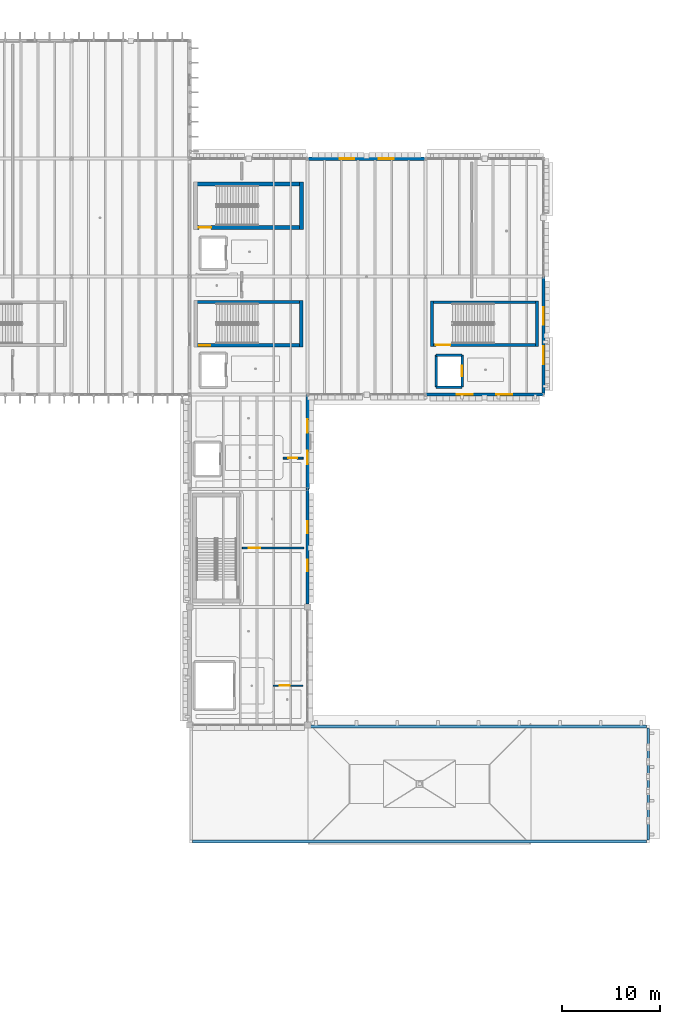
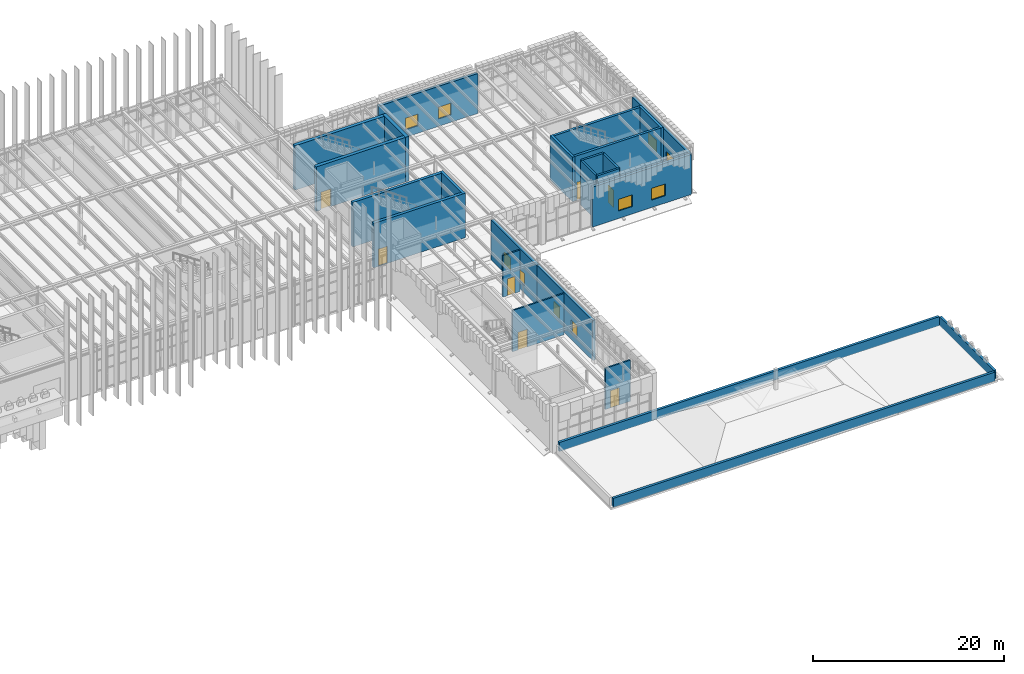
# One storey, part 49 of 83: 25 walls, 10 windows, 7 doors, 17 openings.
"""IFC4 building model written with IfcOpenShell, lengths in metres."""

from ifc_helpers import new_model, si_unit, direction, frame, frame_2d, origin, place, context, subcontext, project, spatial, rectangle, extrude, material, layer, layer_set, type_object, element, fill, save


model = new_model("IFC4")

# Units and contexts
model_context = context("Model", 3, precision=1e-05, world=origin(), true_north=direction((0.0, 1.0)))
body_context = subcontext(model_context, "Body", "Model", "MODEL_VIEW")
ifc_project = project(units=[si_unit("LENGTHUNIT", "METRE"), si_unit("AREAUNIT", "SQUARE_METRE"), si_unit("VOLUMEUNIT", "CUBIC_METRE"), si_unit("PLANEANGLEUNIT", "RADIAN"), si_unit("MASSUNIT", "GRAM", prefix="KILO")], contexts=[model_context])

# Site, building, storey
site_placement = place(None, origin())
site = spatial("IfcSite", under=ifc_project, at=site_placement, CompositionType="ELEMENT")
building_placement = place(site_placement, origin())
building = spatial("IfcBuilding", under=site, at=building_placement, Name="Zlatogorsky Bluff Art Gallery", CompositionType="ELEMENT")
storey_placement = place(building_placement, frame((0.0, 0.0, 10.800048828125)))
storey = spatial("IfcBuildingStorey", under=building, at=storey_placement, Name="L02", CompositionType="ELEMENT", Elevation=10.800048828125)

# Wall, openings, windows
ifc_material_1 = material(Name="Precast concrete C40/50", Category="concrete")
ifc_layer_1 = layer(ifc_material_1, 0.360107421875)
ifc_layer_set_1 = layer_set([ifc_layer_1], Name="Exterior Wall EW-01 360mm")
wall_type_1 = type_object("IfcWallType", Name="Exterior Wall EW-01 360mm", PredefinedType="SOLIDWALL", material=ifc_layer_set_1)
wall_1_placement = place(storey_placement, frame((132.0, 74.39990234375, 0.0), z_axis=(0.0, 0.0, 1.0), x_axis=(0.0, 1.0, 0.0)))
wall_1 = element("IfcWall", 1, at=wall_1_placement, inside=storey, type_object=wall_type_1, Name="Exterior wall EW-01 L02 E 10.7", PredefinedType="SOLIDWALL", context=body_context, shape_type="SweptSolid", body=[
    extrude(rectangle(XDim=9.60009765625, YDim=0.360107421875, at=frame_2d((4.800048828125, 0.0))), origin(), (0.0, 0.0, 1.0), 5.10986328125),
])
opening_1_placement = place(wall_1_placement, frame((2.52490234375, 0.0, 0.949951171875)))
opening_1 = element("IfcOpeningElement", 2, at=opening_1_placement, cuts=wall_1, Name="Opening WN-04", PredefinedType="OPENING", context=body_context, shape_type="SweptSolid", body=[
    extrude(rectangle(XDim=1.35009765625, YDim=1.5, at=frame_2d((0.675048828125, 0.75))), frame((0.0, 0.18994140625, 0.0), z_axis=(0.0, -1.0, 0.0), x_axis=(1.0, 0.0, 0.0)), (0.0, 0.0, 1.0), 0.380126953125),
])
opening_2_placement = place(wall_1_placement, frame((5.72509765625, 0.0, 0.949951171875)))
opening_2 = element("IfcOpeningElement", 3, at=opening_2_placement, cuts=wall_1, Name="Opening WN-04", PredefinedType="OPENING", context=body_context, shape_type="SweptSolid", body=[
    extrude(rectangle(XDim=1.35009765625, YDim=1.5, at=frame_2d((0.675048828125, 0.75))), frame((0.0, 0.18994140625, 0.0), z_axis=(0.0, -1.0, 0.0), x_axis=(1.0, 0.0, 0.0)), (0.0, 0.0, 1.0), 0.380126953125),
])
ifc_material_2 = material(Name="Bronze-Anodised Aluminium Triple Glazing", Category="aluminium")
window_type_1 = type_object("IfcWindowType", Name="Pointed-Reveal Window WN-04 1350x1500", PartitioningType="SINGLE_PANEL", PredefinedType="WINDOW", material=ifc_material_2)
window_1_placement = place(opening_1_placement, origin())
window_1 = element("IfcWindow", 4, at=window_1_placement, inside=storey, type_object=window_type_1, Name="Window WN-04 L02.E.10.7.1", OverallHeight=1.5, OverallWidth=1.35009765625, PartitioningType="SINGLE_PANEL", PredefinedType="WINDOW", context=body_context, shape_type="SweptSolid", body=[
    extrude(rectangle(XDim=1.35009765625, YDim=1.5, at=frame_2d((0.675048828125, 0.75))), frame((0.0, 0.030029296875, 0.0), z_axis=(0.0, -1.0, 0.0), x_axis=(1.0, 0.0, 0.0)), (0.0, 0.0, 1.0), 0.06005859375),
])
fill(opening_1, window_1)
window_2_placement = place(opening_2_placement, origin())
window_2 = element("IfcWindow", 5, at=window_2_placement, inside=storey, type_object=window_type_1, Name="Window WN-04 L02.E.10.7.2", OverallHeight=1.5, OverallWidth=1.35009765625, PartitioningType="SINGLE_PANEL", PredefinedType="WINDOW", context=body_context, shape_type="SweptSolid", body=[
    extrude(rectangle(XDim=1.35009765625, YDim=1.5, at=frame_2d((0.675048828125, 0.75))), frame((0.0, 0.030029296875, 0.0), z_axis=(0.0, -1.0, 0.0), x_axis=(1.0, 0.0, 0.0)), (0.0, 0.0, 1.0), 0.06005859375),
])
fill(opening_2, window_2)

ifc_layer_2 = layer(ifc_material_1, 0.320068359375)
ifc_layer_set_2 = layer_set([ifc_layer_2], Name="Exterior Wall EW-04 320mm")
wall_type_2 = type_object("IfcWallType", Name="Exterior Wall EW-04 320mm", PredefinedType="SOLIDWALL", material=ifc_layer_set_2)
wall_2_placement = place(storey_placement, frame((132.0, 62.719970703125, 0.0), z_axis=(0.0, 0.0, 1.0), x_axis=(0.0, 1.0, 0.0)))
wall_2 = element("IfcWall", 6, at=wall_2_placement, inside=storey, type_object=wall_type_2, Name="Exterior wall EW-04 L02 E 10.6", PredefinedType="SOLIDWALL", context=body_context, shape_type="SweptSolid", body=[
    extrude(rectangle(XDim=11.679931640625, YDim=0.320068359375, at=frame_2d((5.83984375, 0.0))), origin(), (0.0, 0.0, 1.0), 5.10986328125),
])
opening_3_placement = place(wall_2_placement, frame((3.29296875, 0.0, 0.949951171875)))
opening_3 = element("IfcOpeningElement", 7, at=opening_3_placement, cuts=wall_2, Name="Opening WN-03", PredefinedType="OPENING", context=body_context, shape_type="SweptSolid", body=[
    extrude(rectangle(XDim=1.199951171875, YDim=1.5, at=frame_2d((0.60009765625, 0.75))), frame((0.0, 0.169921875, 0.0), z_axis=(0.0, -1.0, 0.0), x_axis=(1.0, 0.0, 0.0)), (0.0, 0.0, 1.0), 0.340087890625),
])
opening_4_placement = place(wall_2_placement, frame((7.18701171875, 0.0, 0.949951171875)))
opening_4 = element("IfcOpeningElement", 8, at=opening_4_placement, cuts=wall_2, Name="Opening WN-03", PredefinedType="OPENING", context=body_context, shape_type="SweptSolid", body=[
    extrude(rectangle(XDim=1.199951171875, YDim=1.5, at=frame_2d((0.60009765625, 0.75))), frame((0.0, 0.169921875, 0.0), z_axis=(0.0, -1.0, 0.0), x_axis=(1.0, 0.0, 0.0)), (0.0, 0.0, 1.0), 0.340087890625),
])
window_type_2 = type_object("IfcWindowType", Name="Pointed-Reveal Window WN-03 1200x1500", PartitioningType="SINGLE_PANEL", PredefinedType="WINDOW", material=ifc_material_2)
window_3_placement = place(opening_3_placement, origin())
window_3 = element("IfcWindow", 9, at=window_3_placement, inside=storey, type_object=window_type_2, Name="Window WN-03 L02.E.10.6.1", OverallHeight=1.5, OverallWidth=1.199951171875, PartitioningType="SINGLE_PANEL", PredefinedType="WINDOW", context=body_context, shape_type="SweptSolid", body=[
    extrude(rectangle(XDim=1.199951171875, YDim=1.5, at=frame_2d((0.60009765625, 0.75))), frame((0.0, 0.030029296875, 0.0), z_axis=(0.0, -1.0, 0.0), x_axis=(1.0, 0.0, 0.0)), (0.0, 0.0, 1.0), 0.06005859375),
])
fill(opening_3, window_3)
window_4_placement = place(opening_4_placement, origin())
window_4 = element("IfcWindow", 10, at=window_4_placement, inside=storey, type_object=window_type_2, Name="Window WN-03 L02.E.10.6.2", OverallHeight=1.5, OverallWidth=1.199951171875, PartitioningType="SINGLE_PANEL", PredefinedType="WINDOW", context=body_context, shape_type="SweptSolid", body=[
    extrude(rectangle(XDim=1.199951171875, YDim=1.5, at=frame_2d((0.60009765625, 0.75))), frame((0.0, 0.030029296875, 0.0), z_axis=(0.0, -1.0, 0.0), x_axis=(1.0, 0.0, 0.0)), (0.0, 0.0, 1.0), 0.06005859375),
])
fill(opening_4, window_4)

wall_3_placement = place(storey_placement, frame((144.0, 108.0, 0.0), z_axis=(0.0, 0.0, 1.0), x_axis=(-1.0, 0.0, 0.0)))
wall_3 = element("IfcWall", 11, at=wall_3_placement, inside=storey, type_object=wall_type_2, Name="Exterior wall EW-04 L02 N 11.9", PredefinedType="SOLIDWALL", context=body_context, shape_type="SweptSolid", body=[
    extrude(rectangle(XDim=12.0, YDim=0.320068359375, at=frame_2d((6.0, 0.0))), origin(), (0.0, 0.0, 1.0), 5.10986328125),
])
opening_5_placement = place(wall_3_placement, frame((3.25, 0.0, 0.949951171875)))
opening_5 = element("IfcOpeningElement", 12, at=opening_5_placement, cuts=wall_3, Name="Opening WN-05", PredefinedType="OPENING", context=body_context, shape_type="SweptSolid", body=[
    extrude(rectangle(XDim=1.5, YDim=1.5, at=frame_2d((0.75, 0.75))), frame((0.0, 0.169921875, 0.0), z_axis=(0.0, -1.0, 0.0), x_axis=(1.0, 0.0, 0.0)), (0.0, 0.0, 1.0), 0.340087890625),
])
opening_6_placement = place(wall_3_placement, frame((7.25, 0.0, 0.949951171875)))
opening_6 = element("IfcOpeningElement", 13, at=opening_6_placement, cuts=wall_3, Name="Opening WN-05", PredefinedType="OPENING", context=body_context, shape_type="SweptSolid", body=[
    extrude(rectangle(XDim=1.5, YDim=1.5, at=frame_2d((0.75, 0.75))), frame((0.0, 0.169921875, 0.0), z_axis=(0.0, -1.0, 0.0), x_axis=(1.0, 0.0, 0.0)), (0.0, 0.0, 1.0), 0.340087890625),
])
window_type_3 = type_object("IfcWindowType", Name="Pointed-Reveal Window WN-05 1500x1500", PartitioningType="SINGLE_PANEL", PredefinedType="WINDOW", material=ifc_material_2)
window_5_placement = place(opening_5_placement, origin())
window_5 = element("IfcWindow", 14, at=window_5_placement, inside=storey, type_object=window_type_3, Name="Window WN-05 L02.N.11.9.1", OverallHeight=1.5, OverallWidth=1.5, PartitioningType="SINGLE_PANEL", PredefinedType="WINDOW", context=body_context, shape_type="SweptSolid", body=[
    extrude(rectangle(XDim=1.5, YDim=1.5, at=frame_2d((0.75, 0.75))), frame((0.0, 0.030029296875, 0.0), z_axis=(0.0, -1.0, 0.0), x_axis=(1.0, 0.0, 0.0)), (0.0, 0.0, 1.0), 0.06005859375),
])
fill(opening_5, window_5)
window_6_placement = place(opening_6_placement, origin())
window_6 = element("IfcWindow", 15, at=window_6_placement, inside=storey, type_object=window_type_3, Name="Window WN-05 L02.N.11.9.2", OverallHeight=1.5, OverallWidth=1.5, PartitioningType="SINGLE_PANEL", PredefinedType="WINDOW", context=body_context, shape_type="SweptSolid", body=[
    extrude(rectangle(XDim=1.5, YDim=1.5, at=frame_2d((0.75, 0.75))), frame((0.0, 0.030029296875, 0.0), z_axis=(0.0, -1.0, 0.0), x_axis=(1.0, 0.0, 0.0)), (0.0, 0.0, 1.0), 0.06005859375),
])
fill(opening_6, window_6)

wall_4_placement = place(storey_placement, frame((144.0, 84.0, 0.0), z_axis=(0.0, 0.0, 1.0), x_axis=(1.0, 0.0, 0.0)))
wall_4 = element("IfcWall", 16, at=wall_4_placement, inside=storey, type_object=wall_type_2, Name="Exterior wall EW-04 L02 S 12.8", PredefinedType="SOLIDWALL", context=body_context, shape_type="SweptSolid", body=[
    extrude(rectangle(XDim=12.0, YDim=0.320068359375, at=frame_2d((6.0, 0.0))), origin(), (0.0, 0.0, 1.0), 5.10986328125),
])
opening_7_placement = place(wall_4_placement, frame((3.175048828125, 0.0, 0.949951171875)))
opening_7 = element("IfcOpeningElement", 17, at=opening_7_placement, cuts=wall_4, Name="Opening WN-06", PredefinedType="OPENING", context=body_context, shape_type="SweptSolid", body=[
    extrude(rectangle(XDim=1.64990234375, YDim=1.5, at=frame_2d((0.824951171875, 0.75))), frame((0.0, 0.169921875, 0.0), z_axis=(0.0, -1.0, 0.0), x_axis=(1.0, 0.0, 0.0)), (0.0, 0.0, 1.0), 0.340087890625),
])
opening_8_placement = place(wall_4_placement, frame((7.175048828125, 0.0, 0.949951171875)))
opening_8 = element("IfcOpeningElement", 18, at=opening_8_placement, cuts=wall_4, Name="Opening WN-06", PredefinedType="OPENING", context=body_context, shape_type="SweptSolid", body=[
    extrude(rectangle(XDim=1.64990234375, YDim=1.5, at=frame_2d((0.824951171875, 0.75))), frame((0.0, 0.169921875, 0.0), z_axis=(0.0, -1.0, 0.0), x_axis=(1.0, 0.0, 0.0)), (0.0, 0.0, 1.0), 0.340087890625),
])
window_type_4 = type_object("IfcWindowType", Name="Pointed-Reveal Window WN-06 1650x1500", PartitioningType="SINGLE_PANEL", PredefinedType="WINDOW", material=ifc_material_2)
window_7_placement = place(opening_7_placement, origin())
window_7 = element("IfcWindow", 19, at=window_7_placement, inside=storey, type_object=window_type_4, Name="Window WN-06 L02.S.12.8.1", OverallHeight=1.5, OverallWidth=1.64990234375, PartitioningType="SINGLE_PANEL", PredefinedType="WINDOW", context=body_context, shape_type="SweptSolid", body=[
    extrude(rectangle(XDim=1.64990234375, YDim=1.5, at=frame_2d((0.824951171875, 0.75))), frame((0.0, 0.030029296875, 0.0), z_axis=(0.0, -1.0, 0.0), x_axis=(1.0, 0.0, 0.0)), (0.0, 0.0, 1.0), 0.06005859375),
])
fill(opening_7, window_7)
window_8_placement = place(opening_8_placement, origin())
window_8 = element("IfcWindow", 20, at=window_8_placement, inside=storey, type_object=window_type_4, Name="Window WN-06 L02.S.12.8.2", OverallHeight=1.5, OverallWidth=1.64990234375, PartitioningType="SINGLE_PANEL", PredefinedType="WINDOW", context=body_context, shape_type="SweptSolid", body=[
    extrude(rectangle(XDim=1.64990234375, YDim=1.5, at=frame_2d((0.824951171875, 0.75))), frame((0.0, 0.030029296875, 0.0), z_axis=(0.0, -1.0, 0.0), x_axis=(1.0, 0.0, 0.0)), (0.0, 0.0, 1.0), 0.06005859375),
])
fill(opening_8, window_8)

wall_5_placement = place(storey_placement, frame((156.0, 84.0, 0.0), z_axis=(0.0, 0.0, 1.0), x_axis=(0.0, 1.0, 0.0)))
wall_5 = element("IfcWall", 21, at=wall_5_placement, inside=storey, type_object=wall_type_2, Name="Exterior wall EW-04 L02 E 12.8", PredefinedType="SOLIDWALL", context=body_context, shape_type="SweptSolid", body=[
    extrude(rectangle(XDim=12.0, YDim=0.320068359375, at=frame_2d((6.0, 0.0))), origin(), (0.0, 0.0, 1.0), 5.10986328125),
])
opening_9_placement = place(wall_5_placement, frame((3.10009765625, 0.0, 0.949951171875)))
opening_9 = element("IfcOpeningElement", 22, at=opening_9_placement, cuts=wall_5, Name="Opening WN-07", PredefinedType="OPENING", context=body_context, shape_type="SweptSolid", body=[
    extrude(rectangle(XDim=1.800048828125, YDim=1.5, at=frame_2d((0.89990234375, 0.75))), frame((0.0, 0.169921875, 0.0), z_axis=(0.0, -1.0, 0.0), x_axis=(1.0, 0.0, 0.0)), (0.0, 0.0, 1.0), 0.340087890625),
])
opening_10_placement = place(wall_5_placement, frame((7.10009765625, 0.0, 0.949951171875)))
opening_10 = element("IfcOpeningElement", 23, at=opening_10_placement, cuts=wall_5, Name="Opening WN-07", PredefinedType="OPENING", context=body_context, shape_type="SweptSolid", body=[
    extrude(rectangle(XDim=1.800048828125, YDim=1.5, at=frame_2d((0.89990234375, 0.75))), frame((0.0, 0.169921875, 0.0), z_axis=(0.0, -1.0, 0.0), x_axis=(1.0, 0.0, 0.0)), (0.0, 0.0, 1.0), 0.340087890625),
])
window_type_5 = type_object("IfcWindowType", Name="Pointed-Reveal Window WN-07 1800x1500", PartitioningType="SINGLE_PANEL", PredefinedType="WINDOW", material=ifc_material_2)
window_9_placement = place(opening_9_placement, origin())
window_9 = element("IfcWindow", 24, at=window_9_placement, inside=storey, type_object=window_type_5, Name="Window WN-07 L02.E.12.8.1", OverallHeight=1.5, OverallWidth=1.800048828125, PartitioningType="SINGLE_PANEL", PredefinedType="WINDOW", context=body_context, shape_type="SweptSolid", body=[
    extrude(rectangle(XDim=1.800048828125, YDim=1.5, at=frame_2d((0.89990234375, 0.75))), frame((0.0, 0.030029296875, 0.0), z_axis=(0.0, -1.0, 0.0), x_axis=(1.0, 0.0, 0.0)), (0.0, 0.0, 1.0), 0.06005859375),
])
fill(opening_9, window_9)
window_10_placement = place(opening_10_placement, origin())
window_10 = element("IfcWindow", 25, at=window_10_placement, inside=storey, type_object=window_type_5, Name="Window WN-07 L02.E.12.8.2", OverallHeight=1.5, OverallWidth=1.800048828125, PartitioningType="SINGLE_PANEL", PredefinedType="WINDOW", context=body_context, shape_type="SweptSolid", body=[
    extrude(rectangle(XDim=1.800048828125, YDim=1.5, at=frame_2d((0.89990234375, 0.75))), frame((0.0, 0.030029296875, 0.0), z_axis=(0.0, -1.0, 0.0), x_axis=(1.0, 0.0, 0.0)), (0.0, 0.0, 1.0), 0.06005859375),
])
fill(opening_10, window_10)

# Walls
ifc_layer_3 = layer(ifc_material_1, 0.260009765625)
ifc_layer_set_3 = layer_set([ifc_layer_3], Name="Exterior Wall PR-W1 260mm")
wall_type_3 = type_object("IfcWallType", Name="Exterior Wall PR-W1 260mm", PredefinedType="PARAPET", material=ifc_layer_set_3)
wall_6_placement = place(storey_placement, frame((166.639892578125, 50.080078125, 0.0), z_axis=(0.0, 0.0, 1.0), x_axis=(0.0, -1.0, 0.0)))
element("IfcWall", 26, at=wall_6_placement, inside=storey, type_object=wall_type_3, Name="Sandstone roof parapet ROOF-FLAT-L02-02.1", PredefinedType="PARAPET", context=body_context, shape_type="SweptSolid", body=[
    extrude(rectangle(XDim=11.360107421875, YDim=0.260009765625, at=frame_2d((5.68017578125, 0.0))), origin(), (0.0, 0.0, 1.0), 1.14990234375),
])
ifc_layer_4 = layer(ifc_material_1, 0.300048828125)
ifc_layer_set_4 = layer_set([ifc_layer_4], Name="Exterior Wall PR-W2 300mm")
wall_type_4 = type_object("IfcWallType", Name="Exterior Wall PR-W2 300mm", PredefinedType="PARAPET", material=ifc_layer_set_4)
wall_7_placement = place(storey_placement, frame((166.47998046875, 38.56005859375, 0.0), z_axis=(0.0, 0.0, 1.0), x_axis=(-1.0, 0.0, 0.0)))
element("IfcWall", 27, at=wall_7_placement, inside=storey, type_object=wall_type_4, Name="Sandstone roof parapet ROOF-FLAT-L02-02.2", PredefinedType="PARAPET", context=body_context, shape_type="SweptSolid", body=[
    extrude(rectangle(XDim=46.159912109375, YDim=0.300048828125, at=frame_2d((23.080078125, 0.0))), origin(), (0.0, 0.0, 1.0), 1.14990234375),
])
wall_8_placement = place(storey_placement, frame((120.52001953125, 50.239990234375, 0.0), z_axis=(0.0, 0.0, 1.0), x_axis=(1.0, 0.0, 0.0)))
element("IfcWall", 28, at=wall_8_placement, inside=storey, type_object=wall_type_4, Name="Sandstone roof parapet ROOF-FLAT-L02-02.4", PredefinedType="PARAPET", context=body_context, shape_type="SweptSolid", body=[
    extrude(rectangle(XDim=45.9599609375, YDim=0.300048828125, at=frame_2d((22.97998046875, 0.0))), origin(), (0.0, 0.0, 1.0), 1.14990234375),
])

# Wall, opening, door
ifc_material_3 = material(Name="Concrete C30/37", Category="concrete")
ifc_layer_5 = layer(ifc_material_3, 0.179931640625)
ifc_layer_set_5 = layer_set([ifc_layer_5], Name="Interior Wall IW-02 180mm")
wall_type_5 = type_object("IfcWallType", Name="Interior Wall IW-02 180mm", PredefinedType="PARTITIONING", material=ifc_layer_set_5)
wall_9_placement = place(storey_placement, frame((128.510009765625, 54.39990234375, 0.0), z_axis=(0.0, 0.0, 1.0), x_axis=(1.0, 0.0, 0.0)))
wall_9 = element("IfcWall", 29, at=wall_9_placement, inside=storey, type_object=wall_type_5, Name="Partition IW-02 between L02-AR-11 and L02-AR-12", PredefinedType="PARTITIONING", context=body_context, shape_type="SweptSolid", body=[
    extrude(rectangle(XDim=3.0400390625, YDim=0.179931640625, at=frame_2d((1.52001953125, 0.0))), origin(), (0.0, 0.0, 1.0), 5.27001953125),
])
opening_11_placement = place(wall_9_placement, frame((0.64990234375, 0.0, 0.0)))
opening_11 = element("IfcOpeningElement", 30, at=opening_11_placement, cuts=wall_9, Name="Opening ID-04", PredefinedType="OPENING", context=body_context, shape_type="SweptSolid", body=[
    extrude(rectangle(XDim=1.050048828125, YDim=2.199951171875, at=frame_2d((0.52490234375, 1.10009765625))), frame((0.0, 0.099853515625, 0.0), z_axis=(0.0, -1.0, 0.0), x_axis=(1.0, 0.0, 0.0)), (0.0, 0.0, 1.0), 0.199951171875),
])
ifc_material_4 = material(Name="Anodised Aluminium and Laminated Timber", Category="wood")
door_type_1 = type_object("IfcDoorType", Name="Interior Door ID-04 1050x2200", OperationType="SINGLE_SWING_LEFT", PredefinedType="DOOR", material=ifc_material_4)
door_1_placement = place(opening_11_placement, origin())
door_1 = element("IfcDoor", 31, at=door_1_placement, inside=storey, type_object=door_type_1, Name="Door ID-04 L02-AR-11-L02-AR-12", OperationType="SINGLE_SWING_RIGHT", OverallHeight=2.199951171875, OverallWidth=1.050048828125, PredefinedType="DOOR", context=body_context, shape_type="SweptSolid", body=[
    extrude(rectangle(XDim=1.050048828125, YDim=2.199951171875, at=frame_2d((0.52490234375, 1.10009765625))), frame((0.0, 0.02490234375, 0.0), z_axis=(0.0, -1.0, 0.0), x_axis=(1.0, 0.0, 0.0)), (0.0, 0.0, 1.0), 0.050048828125),
])
fill(opening_11, door_1)

wall_10_placement = place(storey_placement, frame((125.3701171875, 68.39990234375, 0.0), z_axis=(0.0, 0.0, 1.0), x_axis=(1.0, 0.0, 0.0)))
wall_10 = element("IfcWall", 32, at=wall_10_placement, inside=storey, type_object=wall_type_5, Name="Partition IW-02 between L02-AR-12 and L02-AR-13", PredefinedType="PARTITIONING", context=body_context, shape_type="SweptSolid", body=[
    extrude(rectangle(XDim=6.25, YDim=0.179931640625, at=frame_2d((3.125, 0.0))), origin(), (0.0, 0.0, 1.0), 5.27001953125),
])
opening_12_placement = place(wall_10_placement, frame((0.64990234375, 0.0, 0.0)))
opening_12 = element("IfcOpeningElement", 33, at=opening_12_placement, cuts=wall_10, Name="Opening ID-06", PredefinedType="OPENING", context=body_context, shape_type="SweptSolid", body=[
    extrude(rectangle(XDim=1.14990234375, YDim=2.25, at=frame_2d((0.574951171875, 1.125))), frame((0.0, 0.099853515625, 0.0), z_axis=(0.0, -1.0, 0.0), x_axis=(1.0, 0.0, 0.0)), (0.0, 0.0, 1.0), 0.199951171875),
])
door_type_2 = type_object("IfcDoorType", Name="Interior Door ID-06 1150x2250", OperationType="SINGLE_SWING_LEFT", PredefinedType="DOOR", material=ifc_material_4)
door_2_placement = place(opening_12_placement, origin())
door_2 = element("IfcDoor", 34, at=door_2_placement, inside=storey, type_object=door_type_2, Name="Door ID-06 L02-AR-12-L02-AR-13", OperationType="SINGLE_SWING_LEFT", OverallHeight=2.25, OverallWidth=1.14990234375, PredefinedType="DOOR", context=body_context, shape_type="SweptSolid", body=[
    extrude(rectangle(XDim=1.14990234375, YDim=2.25, at=frame_2d((0.574951171875, 1.125))), frame((0.0, 0.02490234375, 0.0), z_axis=(0.0, -1.0, 0.0), x_axis=(1.0, 0.0, 0.0)), (0.0, 0.0, 1.0), 0.050048828125),
])
fill(opening_12, door_2)

wall_11_placement = place(storey_placement, frame((129.510009765625, 77.544921875, 0.0), z_axis=(0.0, 0.0, 1.0), x_axis=(1.0, 0.0, 0.0)))
wall_11 = element("IfcWall", 35, at=wall_11_placement, inside=storey, type_object=wall_type_5, Name="Partition IW-02 between L02-AR-13 and L02-AR-14", PredefinedType="PARTITIONING", context=body_context, shape_type="SweptSolid", body=[
    extrude(rectangle(XDim=2.0400390625, YDim=0.179931640625, at=frame_2d((1.02001953125, 0.0))), origin(), (0.0, 0.0, 1.0), 5.31005859375),
])
opening_13_placement = place(wall_11_placement, frame((0.5400390625, 0.0, 0.0)))
opening_13 = element("IfcOpeningElement", 36, at=opening_13_placement, cuts=wall_11, Name="Opening ID-01", PredefinedType="OPENING", context=body_context, shape_type="SweptSolid", body=[
    extrude(rectangle(XDim=0.919921875, YDim=2.14990234375, at=frame_2d((0.4599609375, 1.074951171875))), frame((0.0, 0.099853515625, 0.0), z_axis=(0.0, -1.0, 0.0), x_axis=(1.0, 0.0, 0.0)), (0.0, 0.0, 1.0), 0.199951171875),
])
door_type_3 = type_object("IfcDoorType", Name="Interior Door ID-01 920x2150", OperationType="SINGLE_SWING_LEFT", PredefinedType="DOOR", material=ifc_material_4)
door_3_placement = place(opening_13_placement, origin())
door_3 = element("IfcDoor", 37, at=door_3_placement, inside=storey, type_object=door_type_3, Name="Door ID-01 L02-AR-13-L02-AR-14", OperationType="SINGLE_SWING_RIGHT", OverallHeight=2.14990234375, OverallWidth=0.919921875, PredefinedType="DOOR", context=body_context, shape_type="SweptSolid", body=[
    extrude(rectangle(XDim=0.919921875, YDim=2.14990234375, at=frame_2d((0.4599609375, 1.074951171875))), frame((0.0, 0.02490234375, 0.0), z_axis=(0.0, -1.0, 0.0), x_axis=(1.0, 0.0, 0.0)), (0.0, 0.0, 1.0), 0.050048828125),
])
fill(opening_13, door_3)

# Wall
ifc_material_5 = material(Name="Concrete C35/45", Category="concrete")
ifc_layer_6 = layer(ifc_material_5, 0.25)
ifc_layer_set_6 = layer_set([ifc_layer_6], Name="Interior Wall IW-05 250mm")
wall_type_6 = type_object("IfcWallType", Name="Interior Wall IW-05 250mm", PredefinedType="SOLIDWALL", material=ifc_layer_set_6)
wall_12_placement = place(storey_placement, frame((145.074951171875, 84.77490234375, 0.0), z_axis=(0.0, 0.0, 1.0), x_axis=(1.0, 0.0, 0.0)))
element("IfcWall", 38, at=wall_12_placement, inside=storey, type_object=wall_type_6, Name="Lift PL-2 shaft wall L02 S", PredefinedType="SOLIDWALL", context=body_context, shape_type="SweptSolid", body=[
    extrude(rectangle(XDim=2.650146484375, YDim=0.25, at=frame_2d((1.3251953125, 0.0))), origin(), (0.0, 0.0, 1.0), 5.68994140625),
])

# Wall, opening, door
wall_13_placement = place(storey_placement, frame((147.72509765625, 84.77490234375, 0.0), z_axis=(0.0, 0.0, 1.0), x_axis=(0.0, 1.0, 0.0)))
wall_13 = element("IfcWall", 39, at=wall_13_placement, inside=storey, type_object=wall_type_6, Name="Lift PL-2 shaft wall L02 E", PredefinedType="SOLIDWALL", context=body_context, shape_type="SweptSolid", body=[
    extrude(rectangle(XDim=3.25, YDim=0.25, at=frame_2d((1.625, 0.0))), origin(), (0.0, 0.0, 1.0), 5.68994140625),
])
opening_14_placement = place(wall_13_placement, frame((1.074951171875, 0.0, 0.0)))
opening_14 = element("IfcOpeningElement", 40, at=opening_14_placement, cuts=wall_13, Name="Opening LD-01", PredefinedType="OPENING", context=body_context, shape_type="SweptSolid", body=[
    extrude(rectangle(XDim=1.10009765625, YDim=2.199951171875, at=frame_2d((0.550048828125, 1.10009765625))), frame((0.0, 0.135009765625, 0.0), z_axis=(0.0, -1.0, 0.0), x_axis=(1.0, 0.0, 0.0)), (0.0, 0.0, 1.0), 0.27001953125),
])
door_type_4 = type_object("IfcDoorType", Name="Interior Door LD-01 1100x2200", OperationType="SLIDING_TO_LEFT", PredefinedType="DOOR", material=ifc_material_4)
door_4_placement = place(opening_14_placement, origin())
door_4 = element("IfcDoor", 41, at=door_4_placement, inside=storey, type_object=door_type_4, Name="Lift PL-2 sliding landing door L02", OperationType="SLIDING_TO_LEFT", OverallHeight=2.199951171875, OverallWidth=1.10009765625, PredefinedType="DOOR", context=body_context, shape_type="SweptSolid", body=[
    extrude(rectangle(XDim=1.10009765625, YDim=2.199951171875, at=frame_2d((0.550048828125, 1.10009765625))), frame((0.0, 0.02490234375, 0.0), z_axis=(0.0, -1.0, 0.0), x_axis=(1.0, 0.0, 0.0)), (0.0, 0.0, 1.0), 0.050048828125),
])
fill(opening_14, door_4)

# Walls
wall_14_placement = place(storey_placement, frame((147.72509765625, 88.02490234375, 0.0), z_axis=(0.0, 0.0, 1.0), x_axis=(-1.0, 0.0, 0.0)))
element("IfcWall", 42, at=wall_14_placement, inside=storey, type_object=wall_type_6, Name="Lift PL-2 shaft wall L02 N", PredefinedType="SOLIDWALL", context=body_context, shape_type="SweptSolid", body=[
    extrude(rectangle(XDim=2.650146484375, YDim=0.25, at=frame_2d((1.3251953125, 0.0))), origin(), (0.0, 0.0, 1.0), 5.68994140625),
])
wall_15_placement = place(storey_placement, frame((145.074951171875, 88.02490234375, 0.0), z_axis=(0.0, 0.0, 1.0), x_axis=(0.0, -1.0, 0.0)))
element("IfcWall", 43, at=wall_15_placement, inside=storey, type_object=wall_type_6, Name="Lift PL-2 shaft wall L02 W", PredefinedType="SOLIDWALL", context=body_context, shape_type="SweptSolid", body=[
    extrude(rectangle(XDim=3.25, YDim=0.25, at=frame_2d((1.625, 0.0))), origin(), (0.0, 0.0, 1.0), 5.68994140625),
])

# Wall, opening, door
ifc_layer_7 = layer(ifc_material_5, 0.300048828125)
ifc_layer_set_7 = layer_set([ifc_layer_7], Name="Interior Wall SW-01 300mm")
wall_type_7 = type_object("IfcWallType", Name="Interior Wall SW-01 300mm", PredefinedType="SHEAR", material=ifc_layer_set_7)
wall_16_placement = place(storey_placement, frame((144.5, 89.050048828125, 0.0), z_axis=(0.0, 0.0, 1.0), x_axis=(1.0, 0.0, 0.0)))
wall_16 = element("IfcWall", 44, at=wall_16_placement, inside=storey, type_object=wall_type_7, Name="Stair ST-04 enclosure wall L02 W0", PredefinedType="SHEAR", context=body_context, shape_type="SweptSolid", body=[
    extrude(rectangle(XDim=11.0, YDim=0.300048828125, at=frame_2d((5.5, 0.0))), origin(), (0.0, 0.0, 1.0), 5.68994140625),
])
opening_15_placement = place(wall_16_placement, frame((0.550048828125, 0.0, 0.0)))
opening_15 = element("IfcOpeningElement", 45, at=opening_15_placement, cuts=wall_16, Name="Opening FD-03", PredefinedType="OPENING", context=body_context, shape_type="SweptSolid", body=[
    extrude(rectangle(XDim=1.47998046875, YDim=2.300048828125, at=frame_2d((0.739990234375, 1.14990234375))), frame((0.0, 0.159912109375, 0.0), z_axis=(0.0, -1.0, 0.0), x_axis=(1.0, 0.0, 0.0)), (0.0, 0.0, 1.0), 0.320068359375),
])
door_type_5 = type_object("IfcDoorType", Name="Interior Door FD-03 1480x2300", OperationType="DOUBLE_DOOR_SINGLE_SWING", PredefinedType="DOOR", material=ifc_material_4)
door_5_placement = place(opening_15_placement, origin())
door_5 = element("IfcDoor", 46, at=door_5_placement, inside=storey, type_object=door_type_5, Name="Stair ST-04 fire door L02", OperationType="DOUBLE_DOOR_SINGLE_SWING", OverallHeight=2.300048828125, OverallWidth=1.47998046875, PredefinedType="DOOR", context=body_context, shape_type="SweptSolid", body=[
    extrude(rectangle(XDim=1.47998046875, YDim=2.300048828125, at=frame_2d((0.739990234375, 1.14990234375))), frame((0.0, 0.02490234375, 0.0), z_axis=(0.0, -1.0, 0.0), x_axis=(1.0, 0.0, 0.0)), (0.0, 0.0, 1.0), 0.050048828125),
])
fill(opening_15, door_5)

# Walls
wall_17_placement = place(storey_placement, frame((155.35009765625, 88.89990234375, 0.0), z_axis=(0.0, 0.0, 1.0), x_axis=(0.0, 1.0, 0.0)))
element("IfcWall", 47, at=wall_17_placement, inside=storey, type_object=wall_type_7, Name="Stair ST-04 enclosure wall L02 FEND", PredefinedType="SHEAR", context=body_context, shape_type="SweptSolid", body=[
    extrude(rectangle(XDim=4.650146484375, YDim=0.300048828125, at=frame_2d((2.3251953125, 0.0))), origin(), (0.0, 0.0, 1.0), 5.68994140625),
])
wall_18_placement = place(storey_placement, frame((155.5, 93.39990234375, 0.0), z_axis=(0.0, 0.0, 1.0), x_axis=(-1.0, 0.0, 0.0)))
element("IfcWall", 48, at=wall_18_placement, inside=storey, type_object=wall_type_7, Name="Stair ST-04 enclosure wall L02 W1", PredefinedType="SHEAR", context=body_context, shape_type="SweptSolid", body=[
    extrude(rectangle(XDim=11.0, YDim=0.300048828125, at=frame_2d((5.5, 0.0))), origin(), (0.0, 0.0, 1.0), 5.68994140625),
])
wall_19_placement = place(storey_placement, frame((144.64990234375, 93.550048828125, 0.0), z_axis=(0.0, 0.0, 1.0), x_axis=(0.0, -1.0, 0.0)))
element("IfcWall", 49, at=wall_19_placement, inside=storey, type_object=wall_type_7, Name="Stair ST-04 enclosure wall L02 LEND", PredefinedType="SHEAR", context=body_context, shape_type="SweptSolid", body=[
    extrude(rectangle(XDim=4.650146484375, YDim=0.300048828125, at=frame_2d((2.3251953125, 0.0))), origin(), (0.0, 0.0, 1.0), 5.68994140625),
])

# Wall, opening, door
ifc_layer_8 = layer(ifc_material_5, 0.35009765625)
ifc_layer_set_8 = layer_set([ifc_layer_8], Name="Interior Wall SW-02 350mm")
wall_type_8 = type_object("IfcWallType", Name="Interior Wall SW-02 350mm", PredefinedType="SHEAR", material=ifc_layer_set_8)
wall_20_placement = place(storey_placement, frame((120.449951171875, 89.02490234375, 0.0), z_axis=(0.0, 0.0, 1.0), x_axis=(1.0, 0.0, 0.0)))
wall_20 = element("IfcWall", 50, at=wall_20_placement, inside=storey, type_object=wall_type_8, Name="Stair ST-02 enclosure wall L02 W0", PredefinedType="SHEAR", context=body_context, shape_type="SweptSolid", body=[
    extrude(rectangle(XDim=11.10009765625, YDim=0.35009765625, at=frame_2d((5.550048828125, 0.0))), origin(), (0.0, 0.0, 1.0), 5.68994140625),
])
opening_16_placement = place(wall_20_placement, frame((0.550048828125, 0.0, 0.0)))
opening_16 = element("IfcOpeningElement", 51, at=opening_16_placement, cuts=wall_20, Name="Opening FD-01", PredefinedType="OPENING", context=body_context, shape_type="SweptSolid", body=[
    extrude(rectangle(XDim=1.1201171875, YDim=2.199951171875, at=frame_2d((0.56005859375, 1.10009765625))), frame((0.0, 0.18505859375, 0.0), z_axis=(0.0, -1.0, 0.0), x_axis=(1.0, 0.0, 0.0)), (0.0, 0.0, 1.0), 0.3701171875),
])
door_type_6 = type_object("IfcDoorType", Name="Interior Door FD-01 1120x2200", OperationType="SINGLE_SWING_LEFT", PredefinedType="DOOR", material=ifc_material_4)
door_6_placement = place(opening_16_placement, origin())
door_6 = element("IfcDoor", 52, at=door_6_placement, inside=storey, type_object=door_type_6, Name="Stair ST-02 fire door L02", OperationType="SINGLE_SWING_LEFT", OverallHeight=2.199951171875, OverallWidth=1.1201171875, PredefinedType="DOOR", context=body_context, shape_type="SweptSolid", body=[
    extrude(rectangle(XDim=1.1201171875, YDim=2.199951171875, at=frame_2d((0.56005859375, 1.10009765625))), frame((0.0, 0.02490234375, 0.0), z_axis=(0.0, -1.0, 0.0), x_axis=(1.0, 0.0, 0.0)), (0.0, 0.0, 1.0), 0.050048828125),
])
fill(opening_16, door_6)

# Walls
wall_21_placement = place(storey_placement, frame((131.375, 88.85009765625, 0.0), z_axis=(0.0, 0.0, 1.0), x_axis=(0.0, 1.0, 0.0)))
element("IfcWall", 53, at=wall_21_placement, inside=storey, type_object=wall_type_8, Name="Stair ST-02 enclosure wall L02 FEND", PredefinedType="SHEAR", context=body_context, shape_type="SweptSolid", body=[
    extrude(rectangle(XDim=4.75, YDim=0.35009765625, at=frame_2d((2.375, 0.0))), origin(), (0.0, 0.0, 1.0), 5.68994140625),
])
wall_22_placement = place(storey_placement, frame((131.550048828125, 93.425048828125, 0.0), z_axis=(0.0, 0.0, 1.0), x_axis=(-1.0, 0.0, 0.0)))
element("IfcWall", 54, at=wall_22_placement, inside=storey, type_object=wall_type_8, Name="Stair ST-02 enclosure wall L02 W1", PredefinedType="SHEAR", context=body_context, shape_type="SweptSolid", body=[
    extrude(rectangle(XDim=11.10009765625, YDim=0.35009765625, at=frame_2d((5.550048828125, 0.0))), origin(), (0.0, 0.0, 1.0), 5.68994140625),
])

# Wall, opening, door
ifc_layer_9 = layer(ifc_material_5, 0.39990234375)
ifc_layer_set_9 = layer_set([ifc_layer_9], Name="Interior Wall SW-03 400mm")
wall_type_9 = type_object("IfcWallType", Name="Interior Wall SW-03 400mm", PredefinedType="SHEAR", material=ifc_layer_set_9)
wall_23_placement = place(storey_placement, frame((120.39990234375, 101.0, 0.0), z_axis=(0.0, 0.0, 1.0), x_axis=(1.0, 0.0, 0.0)))
wall_23 = element("IfcWall", 55, at=wall_23_placement, inside=storey, type_object=wall_type_9, Name="Stair ST-03 enclosure wall L02 W0", PredefinedType="SHEAR", context=body_context, shape_type="SweptSolid", body=[
    extrude(rectangle(XDim=11.2001953125, YDim=0.39990234375, at=frame_2d((5.60009765625, 0.0))), origin(), (0.0, 0.0, 1.0), 5.68994140625),
])
opening_17_placement = place(wall_23_placement, frame((0.550048828125, 0.0, 0.0)))
opening_17 = element("IfcOpeningElement", 56, at=opening_17_placement, cuts=wall_23, Name="Opening FD-02", PredefinedType="OPENING", context=body_context, shape_type="SweptSolid", body=[
    extrude(rectangle(XDim=1.239990234375, YDim=2.25, at=frame_2d((0.6201171875, 1.125))), frame((0.0, 0.2099609375, 0.0), z_axis=(0.0, -1.0, 0.0), x_axis=(1.0, 0.0, 0.0)), (0.0, 0.0, 1.0), 0.419921875),
])
door_type_7 = type_object("IfcDoorType", Name="Interior Door FD-02 1240x2250", OperationType="SINGLE_SWING_LEFT", PredefinedType="DOOR", material=ifc_material_4)
door_7_placement = place(opening_17_placement, origin())
door_7 = element("IfcDoor", 57, at=door_7_placement, inside=storey, type_object=door_type_7, Name="Stair ST-03 fire door L02", OperationType="SINGLE_SWING_RIGHT", OverallHeight=2.25, OverallWidth=1.239990234375, PredefinedType="DOOR", context=body_context, shape_type="SweptSolid", body=[
    extrude(rectangle(XDim=1.239990234375, YDim=2.25, at=frame_2d((0.6201171875, 1.125))), frame((0.0, 0.02490234375, 0.0), z_axis=(0.0, -1.0, 0.0), x_axis=(1.0, 0.0, 0.0)), (0.0, 0.0, 1.0), 0.050048828125),
])
fill(opening_17, door_7)

# Walls
wall_24_placement = place(storey_placement, frame((131.39990234375, 100.800048828125, 0.0), z_axis=(0.0, 0.0, 1.0), x_axis=(0.0, 1.0, 0.0)))
element("IfcWall", 58, at=wall_24_placement, inside=storey, type_object=wall_type_9, Name="Stair ST-03 enclosure wall L02 FEND", PredefinedType="SHEAR", context=body_context, shape_type="SweptSolid", body=[
    extrude(rectangle(XDim=4.849853515625, YDim=0.39990234375, at=frame_2d((2.4248046875, 0.0))), origin(), (0.0, 0.0, 1.0), 5.68994140625),
])
wall_25_placement = place(storey_placement, frame((131.60009765625, 105.449951171875, 0.0), z_axis=(0.0, 0.0, 1.0), x_axis=(-1.0, 0.0, 0.0)))
element("IfcWall", 59, at=wall_25_placement, inside=storey, type_object=wall_type_9, Name="Stair ST-03 enclosure wall L02 W1", PredefinedType="SHEAR", context=body_context, shape_type="SweptSolid", body=[
    extrude(rectangle(XDim=11.2001953125, YDim=0.39990234375, at=frame_2d((5.60009765625, 0.0))), origin(), (0.0, 0.0, 1.0), 5.68994140625),
])

save(model, "model.ifc")
